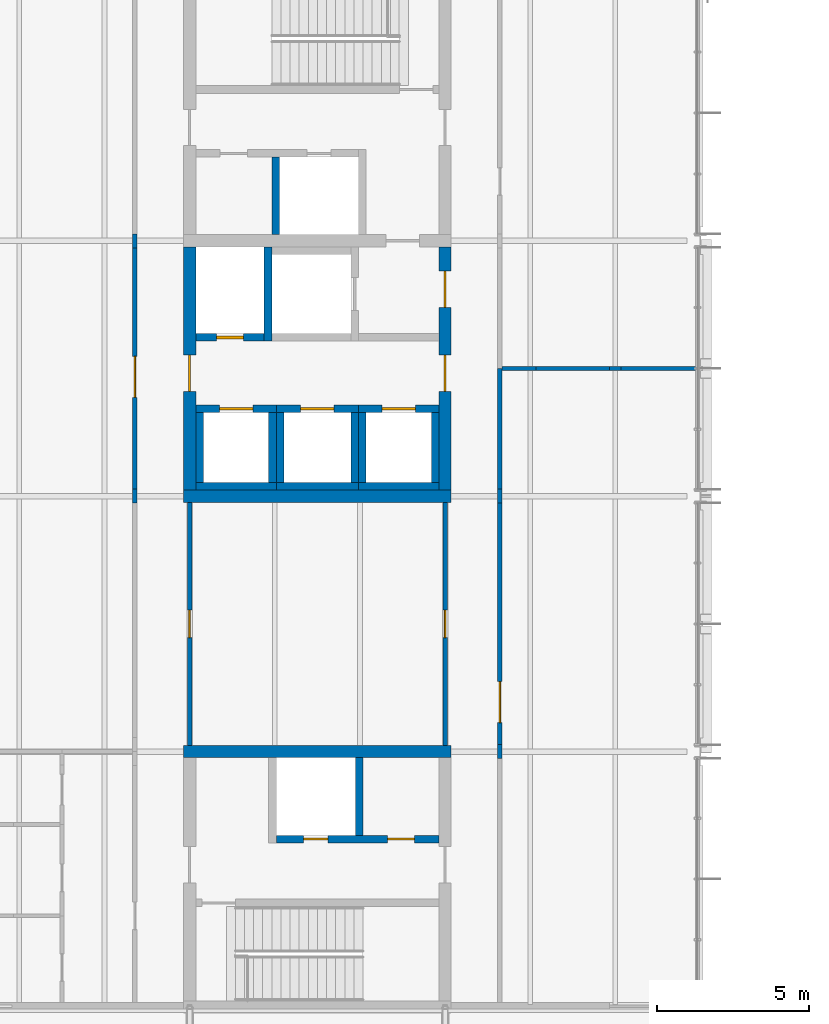
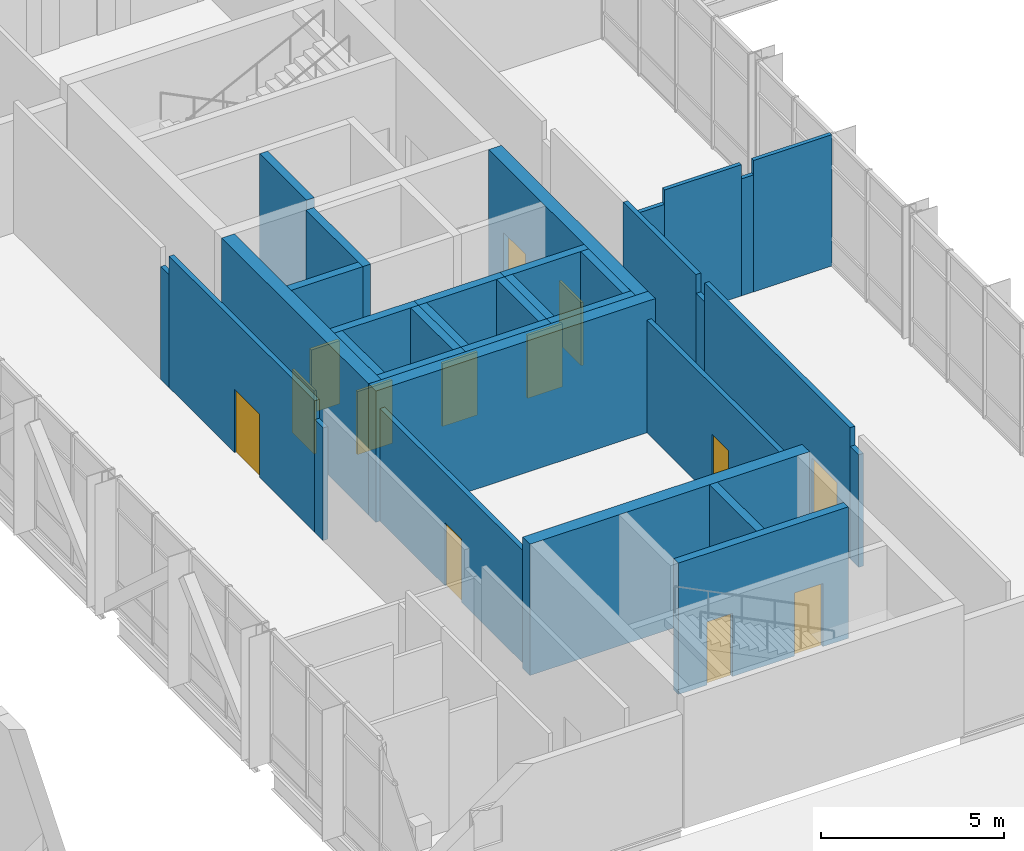
# One storey, part 54 of 89: 34 walls, 13 doors, 13 openings.
"""IFC4 building model written with IfcOpenShell, lengths in metres."""

from ifc_helpers import new_model, si_unit, direction, frame, frame_2d, origin, place, context, subcontext, project, spatial, rectangle, extrude, material, layer, layer_set, type_object, element, fill, save


model = new_model("IFC4")

# Units and contexts
model_context = context("Model", 3, precision=1e-05, world=origin(), true_north=direction((0.0, 1.0)))
body_context = subcontext(model_context, "Body", "Model", "MODEL_VIEW")
ifc_project = project(units=[si_unit("LENGTHUNIT", "METRE"), si_unit("AREAUNIT", "SQUARE_METRE"), si_unit("VOLUMEUNIT", "CUBIC_METRE"), si_unit("PLANEANGLEUNIT", "RADIAN"), si_unit("MASSUNIT", "GRAM", prefix="KILO")], contexts=[model_context])

# Site, building, storey
site_placement = place(None, origin())
site = spatial("IfcSite", under=ifc_project, at=site_placement, CompositionType="ELEMENT")
building_placement = place(site_placement, origin())
building = spatial("IfcBuilding", under=site, at=building_placement, Name="Hlaing Beacon Police Headquarters", CompositionType="ELEMENT")
storey_placement = place(building_placement, frame((0.0, 0.0, 9.89990234375)))
storey = spatial("IfcBuildingStorey", under=building, at=storey_placement, Name="L02", CompositionType="ELEMENT", Elevation=9.89990234375)

# Wall
ifc_material_1 = material(Name="Concrete C60/75", Category="concrete")
ifc_layer_1 = layer(ifc_material_1, 0.39990234375)
ifc_layer_set_1 = layer_set([ifc_layer_1], Name="Concrete C60/75")
wall_type_1 = type_object("IfcWallType", Name="Core shear wall 400", PredefinedType="SHEAR", material=ifc_layer_set_1)
wall_1_placement = place(storey_placement, frame((109.0, 50.39990234375, 0.0), z_axis=(0.0, 0.0, 1.0), x_axis=(1.0, 0.0, 0.0)))
element("IfcWall", 1, at=wall_1_placement, inside=storey, type_object=wall_type_1, Name="Core shear wall", PredefinedType="SHEAR", context=body_context, shape_type="SweptSolid", body=[
    extrude(rectangle(XDim=8.800048828125, YDim=0.39990234375, at=frame_2d((4.39990234375, 0.0))), origin(), (0.0, 0.0, 1.0), 4.3701171875),
])

# Wall, opening, door
wall_2_placement = place(storey_placement, frame((109.199951171875, 50.60009765625, 0.0), z_axis=(0.0, 0.0, 1.0), x_axis=(0.0, 1.0, 0.0)))
wall_2 = element("IfcWall", 2, at=wall_2_placement, inside=storey, type_object=wall_type_1, Name="Core shear wall", PredefinedType="SHEAR", context=body_context, shape_type="SweptSolid", body=[
    extrude(rectangle(XDim=8.0, YDim=0.39990234375, at=frame_2d((4.0, 0.0))), origin(), (0.0, 0.0, 1.0), 4.3701171875),
])
opening_1_placement = place(wall_2_placement, frame((3.25, 0.0, 0.0)))
opening_1 = element("IfcOpeningElement", 3, at=opening_1_placement, cuts=wall_2, Name="Opening L02-914", PredefinedType="OPENING", context=body_context, shape_type="SweptSolid", body=[
    extrude(rectangle(XDim=1.199951171875, YDim=2.10009765625, at=frame_2d((0.60009765625, 1.050048828125))), frame((0.0, 0.2099609375, 0.0), z_axis=(0.0, -1.0, 0.0), x_axis=(1.0, 0.0, 0.0)), (0.0, 0.0, 1.0), 0.419921875),
])
ifc_material_2 = material(Name="Steel fire door leaf", Category="steel")
ifc_layer_2 = layer(ifc_material_2, 0.070068359375)
ifc_layer_set_2 = layer_set([ifc_layer_2], Name="Steel fire door leaf")
door_type_1 = type_object("IfcDoorType", Name="Steel fire door FD60S 1200x2100", OperationType="SINGLE_SWING_LEFT", PredefinedType="DOOR", material=ifc_layer_set_2)
door_1_placement = place(opening_1_placement, frame((1.199951171875, 0.0, 0.0), z_axis=(0.0, 0.0, 1.0), x_axis=(-1.0, 0.0, 0.0)))
door_1 = element("IfcDoor", 4, at=door_1_placement, inside=storey, type_object=door_type_1, Name="Door Lift Lobby Entry", OperationType="SINGLE_SWING_LEFT", OverallHeight=2.10009765625, OverallWidth=1.199951171875, PredefinedType="DOOR", context=body_context, shape_type="SweptSolid", body=[
    extrude(rectangle(XDim=1.199951171875, YDim=2.10009765625, at=frame_2d((0.599853515625, 1.050048828125))), frame((0.0, 0.034912109375, 0.0), z_axis=(0.0, -1.0, 0.0), x_axis=(1.0, 0.0, 0.0)), (0.0, 0.0, 1.0), 0.070068359375),
])
fill(opening_1, door_1)

# Wall, openings, doors
wall_3_placement = place(storey_placement, frame((117.60009765625, 50.60009765625, 0.0), z_axis=(0.0, 0.0, 1.0), x_axis=(0.0, 1.0, 0.0)))
wall_3 = element("IfcWall", 5, at=wall_3_placement, inside=storey, type_object=wall_type_1, Name="Core shear wall", PredefinedType="SHEAR", context=body_context, shape_type="SweptSolid", body=[
    extrude(rectangle(XDim=8.0, YDim=0.39990234375, at=frame_2d((4.0, 0.0))), origin(), (0.0, 0.0, 1.0), 4.3701171875),
])
opening_2_placement = place(wall_3_placement, frame((3.25, 0.0, 0.0)))
opening_2 = element("IfcOpeningElement", 6, at=opening_2_placement, cuts=wall_3, Name="Opening L02-915", PredefinedType="OPENING", context=body_context, shape_type="SweptSolid", body=[
    extrude(rectangle(XDim=1.199951171875, YDim=2.10009765625, at=frame_2d((0.60009765625, 1.050048828125))), frame((0.0, 0.2099609375, 0.0), z_axis=(0.0, -1.0, 0.0), x_axis=(1.0, 0.0, 0.0)), (0.0, 0.0, 1.0), 0.419921875),
])
opening_3_placement = place(wall_3_placement, frame((6.0, 0.0, 0.0)))
opening_3 = element("IfcOpeningElement", 7, at=opening_3_placement, cuts=wall_3, Name="Opening L02-916", PredefinedType="OPENING", context=body_context, shape_type="SweptSolid", body=[
    extrude(rectangle(XDim=1.199951171875, YDim=2.10009765625, at=frame_2d((0.60009765625, 1.050048828125))), frame((0.0, 0.2099609375, 0.0), z_axis=(0.0, -1.0, 0.0), x_axis=(1.0, 0.0, 0.0)), (0.0, 0.0, 1.0), 0.419921875),
])
door_2_placement = place(opening_2_placement, origin())
door_2 = element("IfcDoor", 8, at=door_2_placement, inside=storey, type_object=door_type_1, Name="Door Lift Lobby Entry", OperationType="SINGLE_SWING_RIGHT", OverallHeight=2.10009765625, OverallWidth=1.199951171875, PredefinedType="DOOR", context=body_context, shape_type="SweptSolid", body=[
    extrude(rectangle(XDim=1.199951171875, YDim=2.10009765625, at=frame_2d((0.60009765625, 1.050048828125))), frame((0.0, 0.03515625, 0.0), z_axis=(0.0, -1.0, 0.0), x_axis=(1.0, 0.0, 0.0)), (0.0, 0.0, 1.0), 0.070068359375),
])
fill(opening_2, door_2)
door_3_placement = place(opening_3_placement, origin())
door_3 = element("IfcDoor", 9, at=door_3_placement, inside=storey, type_object=door_type_1, Name="Door Firefighting Lobby Entry", OperationType="SINGLE_SWING_LEFT", OverallHeight=2.10009765625, OverallWidth=1.199951171875, PredefinedType="DOOR", context=body_context, shape_type="SweptSolid", body=[
    extrude(rectangle(XDim=1.199951171875, YDim=2.10009765625, at=frame_2d((0.60009765625, 1.050048828125))), frame((0.0, 0.03515625, 0.0), z_axis=(0.0, -1.0, 0.0), x_axis=(1.0, 0.0, 0.0)), (0.0, 0.0, 1.0), 0.070068359375),
])
fill(opening_3, door_3)

# Walls
wall_4_placement = place(storey_placement, frame((109.0, 42.0, 0.0), z_axis=(0.0, 0.0, 1.0), x_axis=(1.0, 0.0, 0.0)))
element("IfcWall", 10, at=wall_4_placement, inside=storey, type_object=wall_type_1, Name="Core shear wall", PredefinedType="SHEAR", context=body_context, shape_type="SweptSolid", body=[
    extrude(rectangle(XDim=8.800048828125, YDim=0.39990234375, at=frame_2d((4.39990234375, 0.0))), origin(), (0.0, 0.0, 1.0), 4.3701171875),
])
ifc_material_3 = material(Name="Gypsum board partition")
ifc_layer_3 = layer(ifc_material_3, 0.14990234375)
ifc_layer_set_3 = layer_set([ifc_layer_3], Name="Gypsum board partition")
wall_type_2 = type_object("IfcWallType", Name="Corridor wall EI 30 150", PredefinedType="PARTITIONING", material=ifc_layer_set_3)
wall_5_placement = place(storey_placement, frame((119.39990234375, 41.77001953125, 0.0), z_axis=(0.0, 0.0, 1.0), x_axis=(0.0, 1.0, 0.0)))
element("IfcWall", 11, at=wall_5_placement, inside=storey, type_object=wall_type_2, Name="Corridor wall EI 30 150", PredefinedType="PARTITIONING", context=body_context, shape_type="SweptSolid", body=[
    extrude(rectangle(XDim=0.4599609375, YDim=0.14990234375, at=frame_2d((0.22998046875, 0.0))), origin(), (0.0, 0.0, 1.0), 3.74609375),
])

# Wall, opening, door
wall_6_placement = place(storey_placement, frame((119.39990234375, 42.22998046875, 0.0), z_axis=(0.0, 0.0, 1.0), x_axis=(0.0, 1.0, 0.0)))
wall_6 = element("IfcWall", 12, at=wall_6_placement, inside=storey, type_object=wall_type_2, Name="Corridor wall EI 30 150", PredefinedType="PARTITIONING", context=body_context, shape_type="SweptSolid", body=[
    extrude(rectangle(XDim=7.93994140625, YDim=0.14990234375, at=frame_2d((3.969970703125, 0.0))), origin(), (0.0, 0.0, 1.0), 4.3701171875),
])
opening_4_placement = place(wall_6_placement, frame((0.719970703125, 0.0, 0.0)))
opening_4 = element("IfcOpeningElement", 13, at=opening_4_placement, cuts=wall_6, Name="Opening L02-021", PredefinedType="OPENING", context=body_context, shape_type="SweptSolid", body=[
    extrude(rectangle(XDim=1.35009765625, YDim=2.10009765625, at=frame_2d((0.675048828125, 1.050048828125))), frame((0.0, 0.0849609375, 0.0), z_axis=(0.0, -1.0, 0.0), x_axis=(1.0, 0.0, 0.0)), (0.0, 0.0, 1.0), 0.169921875),
])
ifc_material_4 = material(Name="Hardwood door leaf", Category="wood")
ifc_layer_4 = layer(ifc_material_4, 0.050048828125)
ifc_layer_set_4 = layer_set([ifc_layer_4], Name="Hardwood door leaf")
door_type_2 = type_object("IfcDoorType", Name="Fire leaf-and-a-half door FD30S 1350x2100", OperationType="DOUBLE_DOOR_SINGLE_SWING", PredefinedType="DOOR", material=ifc_layer_set_4)
door_4_placement = place(opening_4_placement, frame((1.35009765625, 0.0, 0.0), z_axis=(0.0, 0.0, 1.0), x_axis=(-1.0, 0.0, 0.0)))
door_4 = element("IfcDoor", 14, at=door_4_placement, inside=storey, type_object=door_type_2, Name="Door Case Preparation Office", OperationType="DOUBLE_DOOR_SINGLE_SWING", OverallHeight=2.10009765625, OverallWidth=1.35009765625, PredefinedType="DOOR", context=body_context, shape_type="SweptSolid", body=[
    extrude(rectangle(XDim=1.35009765625, YDim=2.10009765625, at=frame_2d((0.675048828125, 1.050048828125))), frame((0.0, 0.025146484375, 0.0), z_axis=(0.0, -1.0, 0.0), x_axis=(1.0, 0.0, 0.0)), (0.0, 0.0, 1.0), 0.050048828125),
])
fill(opening_4, door_4)

# Walls
wall_7_placement = place(storey_placement, frame((119.39990234375, 50.169921875, 0.0), z_axis=(0.0, 0.0, 1.0), x_axis=(0.0, 1.0, 0.0)))
element("IfcWall", 15, at=wall_7_placement, inside=storey, type_object=wall_type_2, Name="Corridor wall EI 30 150", PredefinedType="PARTITIONING", context=body_context, shape_type="SweptSolid", body=[
    extrude(rectangle(XDim=0.4599609375, YDim=0.14990234375, at=frame_2d((0.22998046875, 0.0))), origin(), (0.0, 0.0, 1.0), 3.74609375),
])
wall_8_placement = place(storey_placement, frame((119.39990234375, 50.6298828125, 0.0), z_axis=(0.0, 0.0, 1.0), x_axis=(0.0, 1.0, 0.0)))
element("IfcWall", 16, at=wall_8_placement, inside=storey, type_object=wall_type_2, Name="Corridor wall EI 30 150", PredefinedType="PARTITIONING", context=body_context, shape_type="SweptSolid", body=[
    extrude(rectangle(XDim=3.97021484375, YDim=0.14990234375, at=frame_2d((1.985107421875, 0.0))), origin(), (0.0, 0.0, 1.0), 4.3701171875),
])

# Wall, opening, door
wall_9_placement = place(storey_placement, frame((117.60009765625, 42.199951171875, 0.0), z_axis=(0.0, 0.0, 1.0), x_axis=(0.0, 1.0, 0.0)))
wall_9 = element("IfcWall", 17, at=wall_9_placement, inside=storey, type_object=wall_type_2, Name="Corridor wall EI 30 150", PredefinedType="PARTITIONING", context=body_context, shape_type="SweptSolid", body=[
    extrude(rectangle(XDim=8.0, YDim=0.14990234375, at=frame_2d((4.0, 0.0))), origin(), (0.0, 0.0, 1.0), 3.74609375),
])
opening_5_placement = place(wall_9_placement, frame((3.550048828125, 0.0, 0.0)))
opening_5 = element("IfcOpeningElement", 18, at=opening_5_placement, cuts=wall_9, Name="Opening L02-023", PredefinedType="OPENING", context=body_context, shape_type="SweptSolid", body=[
    extrude(rectangle(XDim=0.89990234375, YDim=2.10009765625, at=frame_2d((0.449951171875, 1.050048828125))), frame((0.0, 0.0849609375, 0.0), z_axis=(0.0, -1.0, 0.0), x_axis=(1.0, 0.0, 0.0)), (0.0, 0.0, 1.0), 0.169921875),
])
ifc_material_5 = material(Name="Hardwood door leaf", Category="wood")
ifc_layer_5 = layer(ifc_material_5, 0.050048828125)
ifc_layer_set_5 = layer_set([ifc_layer_5], Name="Hardwood door leaf")
door_type_3 = type_object("IfcDoorType", Name="Fire door FD30S 900x2100", OperationType="SINGLE_SWING_LEFT", PredefinedType="DOOR", material=ifc_layer_set_5)
door_5_placement = place(opening_5_placement, origin())
door_5 = element("IfcDoor", 19, at=door_5_placement, inside=storey, type_object=door_type_3, Name="Door Dog Section Office", OperationType="SINGLE_SWING_RIGHT", OverallHeight=2.10009765625, OverallWidth=0.89990234375, PredefinedType="DOOR", context=body_context, shape_type="SweptSolid", body=[
    extrude(rectangle(XDim=0.89990234375, YDim=2.10009765625, at=frame_2d((0.449951171875, 1.050048828125))), frame((0.0, 0.02490234375, 0.0), z_axis=(0.0, -1.0, 0.0), x_axis=(1.0, 0.0, 0.0)), (0.0, 0.0, 1.0), 0.050048828125),
])
fill(opening_5, door_5)

wall_10_placement = place(storey_placement, frame((109.199951171875, 42.199951171875, 0.0), z_axis=(0.0, 0.0, 1.0), x_axis=(0.0, 1.0, 0.0)))
wall_10 = element("IfcWall", 20, at=wall_10_placement, inside=storey, type_object=wall_type_2, Name="Corridor wall EI 30 150", PredefinedType="PARTITIONING", context=body_context, shape_type="SweptSolid", body=[
    extrude(rectangle(XDim=8.0, YDim=0.14990234375, at=frame_2d((4.0, 0.0))), origin(), (0.0, 0.0, 1.0), 3.74609375),
])
opening_6_placement = place(wall_10_placement, frame((3.550048828125, 0.0, 0.0)))
opening_6 = element("IfcOpeningElement", 21, at=opening_6_placement, cuts=wall_10, Name="Opening L02-024", PredefinedType="OPENING", context=body_context, shape_type="SweptSolid", body=[
    extrude(rectangle(XDim=0.89990234375, YDim=2.10009765625, at=frame_2d((0.449951171875, 1.050048828125))), frame((0.0, 0.0849609375, 0.0), z_axis=(0.0, -1.0, 0.0), x_axis=(1.0, 0.0, 0.0)), (0.0, 0.0, 1.0), 0.169921875),
])
door_6_placement = place(opening_6_placement, frame((0.89990234375, 0.0, 0.0), z_axis=(0.0, 0.0, 1.0), x_axis=(-1.0, 0.0, 0.0)))
door_6 = element("IfcDoor", 22, at=door_6_placement, inside=storey, type_object=door_type_3, Name="Door Dog Section Office", OperationType="SINGLE_SWING_LEFT", OverallHeight=2.10009765625, OverallWidth=0.89990234375, PredefinedType="DOOR", context=body_context, shape_type="SweptSolid", body=[
    extrude(rectangle(XDim=0.89990234375, YDim=2.10009765625, at=frame_2d((0.449951171875, 1.050048828125))), frame((0.0, 0.025146484375, 0.0), z_axis=(0.0, -1.0, 0.0), x_axis=(1.0, 0.0, 0.0)), (0.0, 0.0, 1.0), 0.050048828125),
])
fill(opening_6, door_6)

# Wall
wall_11_placement = place(storey_placement, frame((107.39990234375, 50.169921875, 0.0), z_axis=(0.0, 0.0, 1.0), x_axis=(0.0, 1.0, 0.0)))
element("IfcWall", 23, at=wall_11_placement, inside=storey, type_object=wall_type_2, Name="Corridor wall EI 30 150", PredefinedType="PARTITIONING", context=body_context, shape_type="SweptSolid", body=[
    extrude(rectangle(XDim=0.4599609375, YDim=0.14990234375, at=frame_2d((0.22998046875, 0.0))), origin(), (0.0, 0.0, 1.0), 3.74609375),
])

# Wall, opening, door
wall_12_placement = place(storey_placement, frame((107.39990234375, 50.6298828125, 0.0), z_axis=(0.0, 0.0, 1.0), x_axis=(0.0, 1.0, 0.0)))
wall_12 = element("IfcWall", 24, at=wall_12_placement, inside=storey, type_object=wall_type_2, Name="Corridor wall EI 30 150", PredefinedType="PARTITIONING", context=body_context, shape_type="SweptSolid", body=[
    extrude(rectangle(XDim=7.940185546875, YDim=0.14990234375, at=frame_2d((3.97021484375, 0.0))), origin(), (0.0, 0.0, 1.0), 4.3701171875),
])
opening_7_placement = place(wall_12_placement, frame((3.02001953125, 0.0, 0.0)))
opening_7 = element("IfcOpeningElement", 25, at=opening_7_placement, cuts=wall_12, Name="Opening L02-029", PredefinedType="OPENING", context=body_context, shape_type="SweptSolid", body=[
    extrude(rectangle(XDim=1.35009765625, YDim=2.10009765625, at=frame_2d((0.675048828125, 1.050048828125))), frame((0.0, 0.0849609375, 0.0), z_axis=(0.0, -1.0, 0.0), x_axis=(1.0, 0.0, 0.0)), (0.0, 0.0, 1.0), 0.169921875),
])
door_7_placement = place(opening_7_placement, origin())
door_7 = element("IfcDoor", 26, at=door_7_placement, inside=storey, type_object=door_type_2, Name="Door Criminal Records Bureau", OperationType="DOUBLE_DOOR_SINGLE_SWING", OverallHeight=2.10009765625, OverallWidth=1.35009765625, PredefinedType="DOOR", context=body_context, shape_type="SweptSolid", body=[
    extrude(rectangle(XDim=1.35009765625, YDim=2.10009765625, at=frame_2d((0.675048828125, 1.050048828125))), frame((0.0, 0.02490234375, 0.0), z_axis=(0.0, -1.0, 0.0), x_axis=(1.0, 0.0, 0.0)), (0.0, 0.0, 1.0), 0.050048828125),
])
fill(opening_7, door_7)

# Walls
wall_13_placement = place(storey_placement, frame((107.39990234375, 58.570068359375, 0.0), z_axis=(0.0, 0.0, 1.0), x_axis=(0.0, 1.0, 0.0)))
element("IfcWall", 27, at=wall_13_placement, inside=storey, type_object=wall_type_2, Name="Corridor wall EI 30 150", PredefinedType="PARTITIONING", context=body_context, shape_type="SweptSolid", body=[
    extrude(rectangle(XDim=0.4599609375, YDim=0.14990234375, at=frame_2d((0.22998046875, 0.0))), origin(), (0.0, 0.0, 1.0), 3.74609375),
])
ifc_material_6 = material(Name="Gypsum board partition")
ifc_layer_6 = layer(ifc_material_6, 0.125)
ifc_layer_set_6 = layer_set([ifc_layer_6], Name="Gypsum board partition")
wall_type_3 = type_object("IfcWallType", Name="Partition 125", PredefinedType="PARTITIONING", material=ifc_layer_set_6)
wall_14_placement = place(storey_placement, frame((119.47509765625, 54.60009765625, 0.0), z_axis=(0.0, 0.0, 1.0), x_axis=(1.0, 0.0, 0.0)))
element("IfcWall", 28, at=wall_14_placement, inside=storey, type_object=wall_type_3, Name="Partition 125", PredefinedType="PARTITIONING", context=body_context, shape_type="SweptSolid", body=[
    extrude(rectangle(XDim=1.117919921875, YDim=0.125, at=frame_2d((0.55908203125, 0.0))), origin(), (0.0, 0.0, 1.0), 3.89501953125),
])
wall_15_placement = place(storey_placement, frame((120.593017578125, 54.60009765625, 0.0), z_axis=(0.0, 0.0, 1.0), x_axis=(1.0, 0.0, 0.0)))
element("IfcWall", 29, at=wall_15_placement, inside=storey, type_object=wall_type_3, Name="Partition 125", PredefinedType="PARTITIONING", context=body_context, shape_type="SweptSolid", body=[
    extrude(rectangle(XDim=2.4150390625, YDim=0.125, at=frame_2d((1.20751953125, 0.0))), origin(), (0.0, 0.0, 1.0), 4.3701171875),
])
wall_16_placement = place(storey_placement, frame((123.008056640625, 54.60009765625, 0.0), z_axis=(0.0, 0.0, 1.0), x_axis=(1.0, 0.0, 0.0)))
element("IfcWall", 30, at=wall_16_placement, inside=storey, type_object=wall_type_3, Name="Partition 125", PredefinedType="PARTITIONING", context=body_context, shape_type="SweptSolid", body=[
    extrude(rectangle(XDim=0.384033203125, YDim=0.125, at=frame_2d((0.19189453125, 0.0))), origin(), (0.0, 0.0, 1.0), 3.89501953125),
])
wall_17_placement = place(storey_placement, frame((123.39208984375, 54.60009765625, 0.0), z_axis=(0.0, 0.0, 1.0), x_axis=(1.0, 0.0, 0.0)))
element("IfcWall", 31, at=wall_17_placement, inside=storey, type_object=wall_type_3, Name="Partition 125", PredefinedType="PARTITIONING", context=body_context, shape_type="SweptSolid", body=[
    extrude(rectangle(XDim=2.4580078125, YDim=0.125, at=frame_2d((1.22900390625, 0.0))), origin(), (0.0, 0.0, 1.0), 4.3701171875),
])

# Wall, opening, door
ifc_material_7 = material(Name="Concrete C40/50", Category="concrete")
ifc_layer_7 = layer(ifc_material_7, 0.25)
ifc_layer_set_7 = layer_set([ifc_layer_7], Name="Concrete C40/50")
wall_type_4 = type_object("IfcWallType", Name="Shaft wall 250", PredefinedType="SOLIDWALL", material=ifc_layer_set_7)
wall_18_placement = place(storey_placement, frame((109.39990234375, 55.625, 0.0), z_axis=(0.0, 0.0, 1.0), x_axis=(1.0, 0.0, 0.0)))
wall_18 = element("IfcWall", 32, at=wall_18_placement, inside=storey, type_object=wall_type_4, Name="Lobby wall", PredefinedType="SOLIDWALL", context=body_context, shape_type="SweptSolid", body=[
    extrude(rectangle(XDim=2.25, YDim=0.25, at=frame_2d((1.125, 0.0))), origin(), (0.0, 0.0, 1.0), 4.3701171875),
])
opening_8_placement = place(wall_18_placement, frame((0.675048828125, 0.0, 0.0)))
opening_8 = element("IfcOpeningElement", 33, at=opening_8_placement, cuts=wall_18, Name="Opening L02-918", PredefinedType="OPENING", context=body_context, shape_type="SweptSolid", body=[
    extrude(rectangle(XDim=0.89990234375, YDim=2.10009765625, at=frame_2d((0.449951171875, 1.050048828125))), frame((0.0, 0.135009765625, 0.0), z_axis=(0.0, -1.0, 0.0), x_axis=(1.0, 0.0, 0.0)), (0.0, 0.0, 1.0), 0.27001953125),
])
ifc_material_8 = material(Name="Steel fire door leaf", Category="steel")
ifc_layer_8 = layer(ifc_material_8, 0.10009765625)
ifc_layer_set_8 = layer_set([ifc_layer_8], Name="Steel fire door leaf")
door_type_4 = type_object("IfcDoorType", Name="Steel fire door FD120 900x2100", OperationType="SINGLE_SWING_LEFT", PredefinedType="DOOR", material=ifc_layer_set_8)
door_8_placement = place(opening_8_placement, origin())
door_8 = element("IfcDoor", 34, at=door_8_placement, inside=storey, type_object=door_type_4, Name="Door Electrical Riser Room", OperationType="SINGLE_SWING_LEFT", OverallHeight=2.10009765625, OverallWidth=0.89990234375, PredefinedType="DOOR", context=body_context, shape_type="SweptSolid", body=[
    extrude(rectangle(XDim=0.89990234375, YDim=2.10009765625, at=frame_2d((0.449951171875, 1.050048828125))), frame((0.0, 0.050048828125, 0.0), z_axis=(0.0, -1.0, 0.0), x_axis=(1.0, 0.0, 0.0)), (0.0, 0.0, 1.0), 0.10009765625),
])
fill(opening_8, door_8)

# Wall
wall_19_placement = place(storey_placement, frame((112.02490234375, 61.550048828125, 0.0), z_axis=(0.0, 0.0, 1.0), x_axis=(0.0, -1.0, 0.0)))
element("IfcWall", 35, at=wall_19_placement, inside=storey, type_object=wall_type_4, Name="Riser wall", PredefinedType="SOLIDWALL", context=body_context, shape_type="SweptSolid", body=[
    extrude(rectangle(XDim=2.550048828125, YDim=0.25, at=frame_2d((1.27490234375, 0.0))), origin(), (0.0, 0.0, 1.0), 4.3701171875),
])

# Wall, openings, doors
wall_20_placement = place(storey_placement, frame((112.050048828125, 39.125, 0.0), z_axis=(0.0, 0.0, 1.0), x_axis=(1.0, 0.0, 0.0)))
wall_20 = element("IfcWall", 36, at=wall_20_placement, inside=storey, type_object=wall_type_4, Name="Lobby wall", PredefinedType="SOLIDWALL", context=body_context, shape_type="SweptSolid", body=[
    extrude(rectangle(XDim=5.349853515625, YDim=0.25, at=frame_2d((2.6748046875, 0.0))), origin(), (0.0, 0.0, 1.0), 4.3701171875),
])
opening_9_placement = place(wall_20_placement, frame((3.64990234375, 0.0, 0.0)))
opening_9 = element("IfcOpeningElement", 37, at=opening_9_placement, cuts=wall_20, Name="Opening L02-924", PredefinedType="OPENING", context=body_context, shape_type="SweptSolid", body=[
    extrude(rectangle(XDim=0.89990234375, YDim=2.10009765625, at=frame_2d((0.449951171875, 1.050048828125))), frame((0.0, 0.135009765625, 0.0), z_axis=(0.0, -1.0, 0.0), x_axis=(1.0, 0.0, 0.0)), (0.0, 0.0, 1.0), 0.27001953125),
])
opening_10_placement = place(wall_20_placement, frame((0.89990234375, 0.0, 0.0)))
opening_10 = element("IfcOpeningElement", 38, at=opening_10_placement, cuts=wall_20, Name="Opening L02-927", PredefinedType="OPENING", context=body_context, shape_type="SweptSolid", body=[
    extrude(rectangle(XDim=0.800048828125, YDim=2.10009765625, at=frame_2d((0.39990234375, 1.050048828125))), frame((0.0, 0.135009765625, 0.0), z_axis=(0.0, -1.0, 0.0), x_axis=(1.0, 0.0, 0.0)), (0.0, 0.0, 1.0), 0.27001953125),
])
ifc_material_9 = material(Name="Steel fire door leaf", Category="steel")
ifc_layer_9 = layer(ifc_material_9, 0.070068359375)
ifc_layer_set_9 = layer_set([ifc_layer_9], Name="Steel fire door leaf")
door_type_5 = type_object("IfcDoorType", Name="Steel fire door FD60 800x2100", OperationType="SINGLE_SWING_LEFT", PredefinedType="DOOR", material=ifc_layer_set_9)
door_9_placement = place(opening_10_placement, origin())
door_9 = element("IfcDoor", 39, at=door_9_placement, inside=storey, type_object=door_type_5, Name="Door Services Riser", OperationType="SINGLE_SWING_RIGHT", OverallHeight=2.10009765625, OverallWidth=0.800048828125, PredefinedType="DOOR", context=body_context, shape_type="SweptSolid", body=[
    extrude(rectangle(XDim=0.800048828125, YDim=2.10009765625, at=frame_2d((0.39990234375, 1.050048828125))), frame((0.0, 0.03515625, 0.0), z_axis=(0.0, -1.0, 0.0), x_axis=(1.0, 0.0, 0.0)), (0.0, 0.0, 1.0), 0.070068359375),
])
fill(opening_10, door_9)
ifc_material_10 = material(Name="Steel fire door leaf", Category="steel")
ifc_layer_10 = layer(ifc_material_10, 0.070068359375)
ifc_layer_set_10 = layer_set([ifc_layer_10], Name="Steel fire door leaf")
door_type_6 = type_object("IfcDoorType", Name="Steel fire door FD60 900x2100", OperationType="SINGLE_SWING_LEFT", PredefinedType="DOOR", material=ifc_layer_set_10)
door_10_placement = place(opening_9_placement, origin())
door_10 = element("IfcDoor", 40, at=door_10_placement, inside=storey, type_object=door_type_6, Name="Door Cleaners' Store", OperationType="SINGLE_SWING_LEFT", OverallHeight=2.10009765625, OverallWidth=0.89990234375, PredefinedType="DOOR", context=body_context, shape_type="SweptSolid", body=[
    extrude(rectangle(XDim=0.89990234375, YDim=2.10009765625, at=frame_2d((0.449951171875, 1.050048828125))), frame((0.0, 0.03515625, 0.0), z_axis=(0.0, -1.0, 0.0), x_axis=(1.0, 0.0, 0.0)), (0.0, 0.0, 1.0), 0.070068359375),
])
fill(opening_9, door_10)

# Walls
wall_21_placement = place(storey_placement, frame((114.77490234375, 39.25, 0.0), z_axis=(0.0, 0.0, 1.0), x_axis=(0.0, 1.0, 0.0)))
element("IfcWall", 41, at=wall_21_placement, inside=storey, type_object=wall_type_4, Name="Riser wall", PredefinedType="SOLIDWALL", context=body_context, shape_type="SweptSolid", body=[
    extrude(rectangle(XDim=2.550048828125, YDim=0.25, at=frame_2d((1.27490234375, 0.0))), origin(), (0.0, 0.0, 1.0), 4.3701171875),
])
wall_22_placement = place(storey_placement, frame((111.77490234375, 55.5, 0.0), z_axis=(0.0, 0.0, 1.0), x_axis=(0.0, 1.0, 0.0)))
element("IfcWall", 42, at=wall_22_placement, inside=storey, type_object=wall_type_4, Name="Lift shaft wall FL1", PredefinedType="SOLIDWALL", context=body_context, shape_type="SweptSolid", body=[
    extrude(rectangle(XDim=3.10009765625, YDim=0.25, at=frame_2d((1.550048828125, 0.0))), origin(), (0.0, 0.0, 1.0), 4.3701171875),
])
wall_23_placement = place(storey_placement, frame((111.925048828125, 50.85009765625, 0.0), z_axis=(0.0, 0.0, 1.0), x_axis=(0.0, 1.0, 0.0)))
element("IfcWall", 43, at=wall_23_placement, inside=storey, type_object=wall_type_4, Name="Lift shaft wall PL7", PredefinedType="SOLIDWALL", context=body_context, shape_type="SweptSolid", body=[
    extrude(rectangle(XDim=2.2998046875, YDim=0.25, at=frame_2d((1.14990234375, 0.0))), origin(), (0.0, 0.0, 1.0), 4.3701171875),
])

# Wall, opening, door
wall_24_placement = place(storey_placement, frame((109.39990234375, 53.27490234375, 0.0), z_axis=(0.0, 0.0, 1.0), x_axis=(1.0, 0.0, 0.0)))
wall_24 = element("IfcWall", 44, at=wall_24_placement, inside=storey, type_object=wall_type_4, Name="Lift shaft wall PL7", PredefinedType="SOLIDWALL", context=body_context, shape_type="SweptSolid", body=[
    extrude(rectangle(XDim=2.650146484375, YDim=0.25, at=frame_2d((1.3251953125, 0.0))), origin(), (0.0, 0.0, 1.0), 4.3701171875),
])
opening_11_placement = place(wall_24_placement, frame((0.77490234375, 0.0, 0.0)))
opening_11 = element("IfcOpeningElement", 45, at=opening_11_placement, cuts=wall_24, Name="Opening LD-PL7-L02", PredefinedType="OPENING", context=body_context, shape_type="SweptSolid", body=[
    extrude(rectangle(XDim=1.10009765625, YDim=2.10009765625, at=frame_2d((0.550048828125, 1.050048828125))), frame((0.0, 0.135009765625, 0.0), z_axis=(0.0, -1.0, 0.0), x_axis=(1.0, 0.0, 0.0)), (0.0, 0.0, 1.0), 0.27001953125),
])
ifc_material_11 = material(Name="Stainless steel lift landing door", Category="steel")
ifc_layer_11 = layer(ifc_material_11, 0.06005859375)
ifc_layer_set_11 = layer_set([ifc_layer_11], Name="Stainless steel lift landing door")
door_type_7 = type_object("IfcDoorType", Name="Lift landing door 1100x2100", OperationType="DOUBLE_DOOR_SLIDING", PredefinedType="DOOR", material=ifc_layer_set_11)
door_11_placement = place(opening_11_placement, origin())
door_11 = element("IfcDoor", 46, at=door_11_placement, inside=storey, type_object=door_type_7, Name="Landing door PL7 L02", OperationType="DOUBLE_DOOR_SLIDING", OverallHeight=2.10009765625, OverallWidth=1.10009765625, PredefinedType="DOOR", context=body_context, shape_type="SweptSolid", body=[
    extrude(rectangle(XDim=1.10009765625, YDim=2.10009765625, at=frame_2d((0.550048828125, 1.050048828125))), frame((0.0, 0.0400390625, 0.0), z_axis=(0.0, -1.0, 0.0), x_axis=(1.0, 0.0, 0.0)), (0.0, 0.0, 1.0), 0.080078125),
])
fill(opening_11, door_11)

# Walls
wall_25_placement = place(storey_placement, frame((109.39990234375, 50.72509765625, 0.0), z_axis=(0.0, 0.0, 1.0), x_axis=(1.0, 0.0, 0.0)))
element("IfcWall", 47, at=wall_25_placement, inside=storey, type_object=wall_type_4, Name="Lift shaft wall PL7", PredefinedType="SOLIDWALL", context=body_context, shape_type="SweptSolid", body=[
    extrude(rectangle(XDim=2.650146484375, YDim=0.25, at=frame_2d((1.3251953125, 0.0))), origin(), (0.0, 0.0, 1.0), 4.3701171875),
])
for number, where, z_axis, x_axis, name in (
    (48, (109.52490234375, 50.85009765625, 0.0), (0.0, 0.0, 1.0), (0.0, 1.0, 0.0), "Lift shaft wall PL7"),
    (49, (114.625, 50.85009765625, 0.0), (0.0, 0.0, 1.0), (0.0, 1.0, 0.0), "Lift shaft wall PL8"),
):
    element("IfcWall", number, at=place(storey_placement, frame(where, z_axis=z_axis, x_axis=x_axis)), inside=storey, type_object=wall_type_4, Name=name, PredefinedType="SOLIDWALL", context=body_context, shape_type="SweptSolid", body=[
        extrude(rectangle(XDim=2.2998046875, YDim=0.25, at=frame_2d((1.14990234375, 0.0))), origin(), (0.0, 0.0, 1.0), 4.3701171875),
    ])

# Wall, opening, door
wall_26_placement = place(storey_placement, frame((112.050048828125, 53.27490234375, 0.0), z_axis=(0.0, 0.0, 1.0), x_axis=(1.0, 0.0, 0.0)))
wall_26 = element("IfcWall", 50, at=wall_26_placement, inside=storey, type_object=wall_type_4, Name="Lift shaft wall PL8", PredefinedType="SOLIDWALL", context=body_context, shape_type="SweptSolid", body=[
    extrude(rectangle(XDim=2.699951171875, YDim=0.25, at=frame_2d((1.35009765625, 0.0))), origin(), (0.0, 0.0, 1.0), 4.3701171875),
])
opening_12_placement = place(wall_26_placement, frame((0.800048828125, 0.0, 0.0)))
opening_12 = element("IfcOpeningElement", 51, at=opening_12_placement, cuts=wall_26, Name="Opening LD-PL8-L02", PredefinedType="OPENING", context=body_context, shape_type="SweptSolid", body=[
    extrude(rectangle(XDim=1.10009765625, YDim=2.10009765625, at=frame_2d((0.550048828125, 1.050048828125))), frame((0.0, 0.135009765625, 0.0), z_axis=(0.0, -1.0, 0.0), x_axis=(1.0, 0.0, 0.0)), (0.0, 0.0, 1.0), 0.27001953125),
])
door_12_placement = place(opening_12_placement, origin())
door_12 = element("IfcDoor", 52, at=door_12_placement, inside=storey, type_object=door_type_7, Name="Landing door PL8 L02", OperationType="DOUBLE_DOOR_SLIDING", OverallHeight=2.10009765625, OverallWidth=1.10009765625, PredefinedType="DOOR", context=body_context, shape_type="SweptSolid", body=[
    extrude(rectangle(XDim=1.10009765625, YDim=2.10009765625, at=frame_2d((0.550048828125, 1.050048828125))), frame((0.0, 0.0400390625, 0.0), z_axis=(0.0, -1.0, 0.0), x_axis=(1.0, 0.0, 0.0)), (0.0, 0.0, 1.0), 0.080078125),
])
fill(opening_12, door_12)

# Walls
wall_27_placement = place(storey_placement, frame((112.050048828125, 50.72509765625, 0.0), z_axis=(0.0, 0.0, 1.0), x_axis=(1.0, 0.0, 0.0)))
element("IfcWall", 53, at=wall_27_placement, inside=storey, type_object=wall_type_4, Name="Lift shaft wall PL8", PredefinedType="SOLIDWALL", context=body_context, shape_type="SweptSolid", body=[
    extrude(rectangle(XDim=2.699951171875, YDim=0.25, at=frame_2d((1.35009765625, 0.0))), origin(), (0.0, 0.0, 1.0), 4.3701171875),
])
for number, where, z_axis, x_axis, name in (
    (54, (112.175048828125, 50.85009765625, 0.0), (0.0, 0.0, 1.0), (0.0, 1.0, 0.0), "Lift shaft wall PL8"),
    (55, (117.27490234375, 50.85009765625, 0.0), (0.0, 0.0, 1.0), (0.0, 1.0, 0.0), "Lift shaft wall PL9"),
):
    element("IfcWall", number, at=place(storey_placement, frame(where, z_axis=z_axis, x_axis=x_axis)), inside=storey, type_object=wall_type_4, Name=name, PredefinedType="SOLIDWALL", context=body_context, shape_type="SweptSolid", body=[
        extrude(rectangle(XDim=2.2998046875, YDim=0.25, at=frame_2d((1.14990234375, 0.0))), origin(), (0.0, 0.0, 1.0), 4.3701171875),
    ])

# Wall, opening, door
wall_28_placement = place(storey_placement, frame((114.75, 53.27490234375, 0.0), z_axis=(0.0, 0.0, 1.0), x_axis=(1.0, 0.0, 0.0)))
wall_28 = element("IfcWall", 56, at=wall_28_placement, inside=storey, type_object=wall_type_4, Name="Lift shaft wall PL9", PredefinedType="SOLIDWALL", context=body_context, shape_type="SweptSolid", body=[
    extrude(rectangle(XDim=2.64990234375, YDim=0.25, at=frame_2d((1.324951171875, 0.0))), origin(), (0.0, 0.0, 1.0), 4.3701171875),
])
opening_13_placement = place(wall_28_placement, frame((0.77490234375, 0.0, 0.0)))
opening_13 = element("IfcOpeningElement", 57, at=opening_13_placement, cuts=wall_28, Name="Opening LD-PL9-L02", PredefinedType="OPENING", context=body_context, shape_type="SweptSolid", body=[
    extrude(rectangle(XDim=1.10009765625, YDim=2.10009765625, at=frame_2d((0.550048828125, 1.050048828125))), frame((0.0, 0.135009765625, 0.0), z_axis=(0.0, -1.0, 0.0), x_axis=(1.0, 0.0, 0.0)), (0.0, 0.0, 1.0), 0.27001953125),
])
door_13_placement = place(opening_13_placement, origin())
door_13 = element("IfcDoor", 58, at=door_13_placement, inside=storey, type_object=door_type_7, Name="Landing door PL9 L02", OperationType="DOUBLE_DOOR_SLIDING", OverallHeight=2.10009765625, OverallWidth=1.10009765625, PredefinedType="DOOR", context=body_context, shape_type="SweptSolid", body=[
    extrude(rectangle(XDim=1.10009765625, YDim=2.10009765625, at=frame_2d((0.550048828125, 1.050048828125))), frame((0.0, 0.0400390625, 0.0), z_axis=(0.0, -1.0, 0.0), x_axis=(1.0, 0.0, 0.0)), (0.0, 0.0, 1.0), 0.080078125),
])
fill(opening_13, door_13)

# Walls
wall_29_placement = place(storey_placement, frame((114.75, 50.72509765625, 0.0), z_axis=(0.0, 0.0, 1.0), x_axis=(1.0, 0.0, 0.0)))
element("IfcWall", 59, at=wall_29_placement, inside=storey, type_object=wall_type_4, Name="Lift shaft wall PL9", PredefinedType="SOLIDWALL", context=body_context, shape_type="SweptSolid", body=[
    extrude(rectangle(XDim=2.64990234375, YDim=0.25, at=frame_2d((1.324951171875, 0.0))), origin(), (0.0, 0.0, 1.0), 4.3701171875),
])
wall_30_placement = place(storey_placement, frame((114.875, 50.85009765625, 0.0), z_axis=(0.0, 0.0, 1.0), x_axis=(0.0, 1.0, 0.0)))
element("IfcWall", 60, at=wall_30_placement, inside=storey, type_object=wall_type_4, Name="Lift shaft wall PL9", PredefinedType="SOLIDWALL", context=body_context, shape_type="SweptSolid", body=[
    extrude(rectangle(XDim=2.2998046875, YDim=0.25, at=frame_2d((1.14990234375, 0.0))), origin(), (0.0, 0.0, 1.0), 4.3701171875),
])

save(model, "model.ifc")
